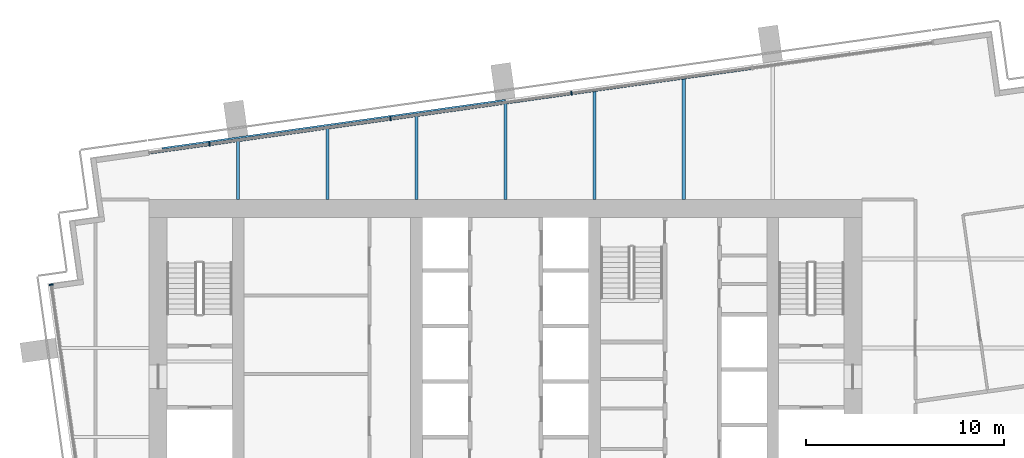
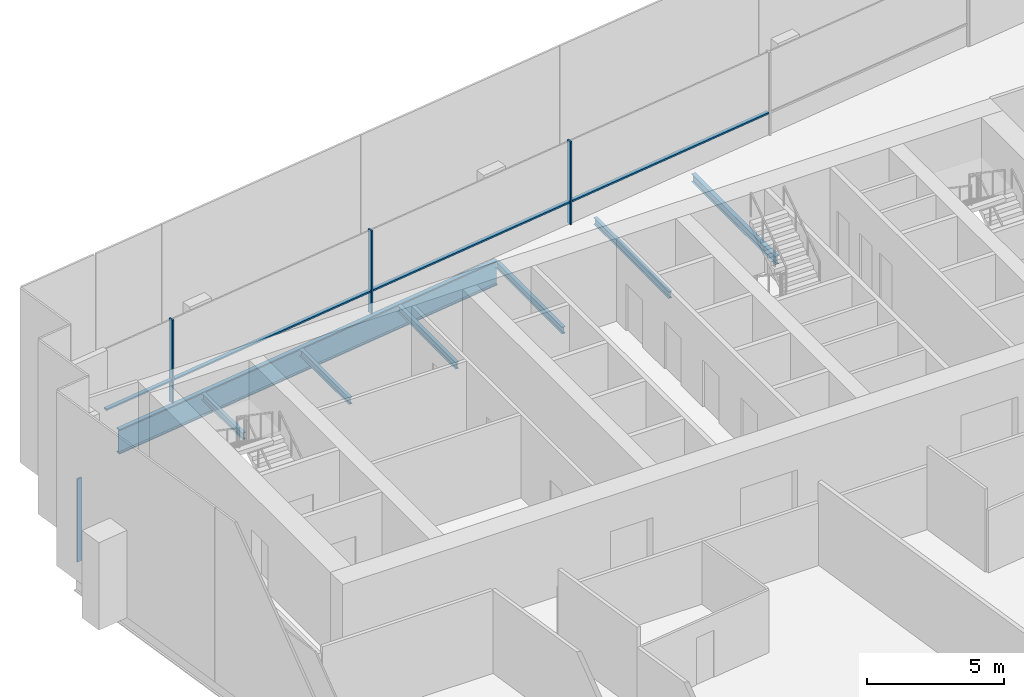
# One storey, part 6 of 17: 8 members, 7 beams, 2 elements without a shape of their own.
"""IFC4 building model written with IfcOpenShell, lengths in metres."""

from ifc_helpers import new_model, si_unit, direction, frame, origin, origin_2d, place, context, subcontext, project, spatial, rectangle, i_section, extrude, material, layer, layer_set, material_profile, profile_set, type_object, element, aggregate, save


model = new_model("IFC4")

# Units and contexts
model_context = context("Model", 3, precision=1e-05, world=origin(), true_north=direction((0.0, 1.0)))
body_context = subcontext(model_context, "Body", "Model", "MODEL_VIEW")
ifc_project = project(units=[si_unit("LENGTHUNIT", "METRE"), si_unit("AREAUNIT", "SQUARE_METRE"), si_unit("VOLUMEUNIT", "CUBIC_METRE"), si_unit("PLANEANGLEUNIT", "RADIAN"), si_unit("MASSUNIT", "GRAM", prefix="KILO")], contexts=[model_context])

# Site, building, storey
site_placement = place(None, origin())
site = spatial("IfcSite", under=ifc_project, at=site_placement, CompositionType="ELEMENT")
building_placement = place(site_placement, origin())
building = spatial("IfcBuilding", under=site, at=building_placement, Name="Rattan Terrace Tower", CompositionType="ELEMENT")
storey_placement = place(building_placement, frame((0.0, 0.0, 236.89990234375)))
storey = spatial("IfcBuildingStorey", under=building, at=storey_placement, Name="L54", CompositionType="ELEMENT", Elevation=236.89990234375)

# Beams
ifc_material_1 = material(Name="Steel S460", Category="steel")
ifc_material_profile_1 = material_profile(ifc_material_1, i_section(OverallWidth=0.179931640625, OverallDepth=1.10009765625, WebThickness=0.01611328125, FlangeThickness=0.050048828125, at=origin_2d()), Name="PG 1100x180-16-50")
ifc_profile_set_1 = profile_set([ifc_material_profile_1], Name="Steel S460")
beam_type_1 = type_object("IfcBeamType", Name="Frame edge girder PG 1100x180-16-50", PredefinedType="SPANDREL", material=ifc_profile_set_1)
beam_1_placement = place(storey_placement, frame((-17.347900390625, 10.031005859375, -0.75), z_axis=(0.990267797657, 0.13917502981, 0.0), x_axis=(-0.13917502981, 0.990267797657, 0.0)))
element("IfcBeam", 1, at=beam_1_placement, inside=storey, type_object=beam_type_1, Name="gdr-L54-005", PredefinedType="SPANDREL", context=body_context, shape_type="SweptSolid", body=[
    extrude(i_section(OverallWidth=0.179931640625, OverallDepth=1.10009765625, WebThickness=0.01611328125, FlangeThickness=0.050048828125, at=origin_2d()), origin(), (0.0, 0.0, 1.0), 17.531494140625),
])
ifc_material_2 = material(Name="Steel S355", Category="steel")
ifc_material_profile_2 = material_profile(ifc_material_2, i_section(OverallWidth=0.14990234375, OverallDepth=0.300048828125, WebThickness=0.007080078125, FlangeThickness=0.0107421875, FilletRadius=0.014892578125, at=origin_2d()), Name="IPE 300")
ifc_profile_set_2 = profile_set([ifc_material_profile_2], Name="Steel S355")
beam_type_2 = type_object("IfcBeamType", Name="Frame floor beam IPE 300", PredefinedType="JOIST", material=ifc_profile_set_2)
beam_2_placement = place(storey_placement, frame((-13.5, 7.5, -0.349853515625), z_axis=(0.0, 1.0, 0.0), x_axis=(-1.0, 0.0, 0.0)))
element("IfcBeam", 2, at=beam_2_placement, inside=storey, type_object=beam_type_2, Name="bm-L54-014", PredefinedType="JOIST", context=body_context, shape_type="SweptSolid", body=[
    extrude(i_section(OverallWidth=0.14990234375, OverallDepth=0.300048828125, WebThickness=0.007080078125, FlangeThickness=0.0107421875, FilletRadius=0.014892578125, at=origin_2d()), origin(), (0.0, 0.0, 1.0), 2.969970703125),
])
beam_3_placement = place(storey_placement, frame((-9.0, 7.5, -0.349853515625), z_axis=(0.0, 1.0, 0.0), x_axis=(-1.0, 0.0, 0.0)))
element("IfcBeam", 3, at=beam_3_placement, inside=storey, type_object=beam_type_2, Name="bm-L54-015", PredefinedType="JOIST", context=body_context, shape_type="SweptSolid", body=[
    extrude(i_section(OverallWidth=0.14990234375, OverallDepth=0.300048828125, WebThickness=0.007080078125, FlangeThickness=0.0107421875, FilletRadius=0.014892578125, at=origin_2d()), origin(), (0.0, 0.0, 1.0), 3.60302734375),
])
beam_4_placement = place(storey_placement, frame((-4.5, 7.5, -0.349853515625), z_axis=(0.0, 1.0, 0.0), x_axis=(-1.0, 0.0, 0.0)))
element("IfcBeam", 4, at=beam_4_placement, inside=storey, type_object=beam_type_2, Name="bm-L54-016", PredefinedType="JOIST", context=body_context, shape_type="SweptSolid", body=[
    extrude(i_section(OverallWidth=0.14990234375, OverallDepth=0.300048828125, WebThickness=0.007080078125, FlangeThickness=0.0107421875, FilletRadius=0.014892578125, at=origin_2d()), origin(), (0.0, 0.0, 1.0), 4.235107421875),
])
beam_5_placement = place(storey_placement, frame((0.0, 7.5, -0.349853515625), z_axis=(0.0, 1.0, 0.0), x_axis=(-1.0, 0.0, 0.0)))
element("IfcBeam", 5, at=beam_5_placement, inside=storey, type_object=beam_type_2, Name="bm-L54-017", PredefinedType="JOIST", context=body_context, shape_type="SweptSolid", body=[
    extrude(i_section(OverallWidth=0.14990234375, OverallDepth=0.300048828125, WebThickness=0.007080078125, FlangeThickness=0.0107421875, FilletRadius=0.014892578125, at=origin_2d()), origin(), (0.0, 0.0, 1.0), 4.867919921875),
])
beam_6_placement = place(storey_placement, frame((4.5, 7.5, -0.349853515625), z_axis=(0.0, 1.0, 0.0), x_axis=(-1.0, 0.0, 0.0)))
element("IfcBeam", 6, at=beam_6_placement, inside=storey, type_object=beam_type_2, Name="bm-L54-018", PredefinedType="JOIST", context=body_context, shape_type="SweptSolid", body=[
    extrude(i_section(OverallWidth=0.14990234375, OverallDepth=0.300048828125, WebThickness=0.007080078125, FlangeThickness=0.0107421875, FilletRadius=0.014892578125, at=origin_2d()), origin(), (0.0, 0.0, 1.0), 5.5),
])
ifc_material_3 = material(Name="Steel S355", Category="steel")
ifc_material_profile_3 = material_profile(ifc_material_3, i_section(OverallWidth=0.169921875, OverallDepth=0.360107421875, WebThickness=0.008056640625, FlangeThickness=0.0126953125, FilletRadius=0.01806640625, at=origin_2d()), Name="IPE 360")
ifc_profile_set_3 = profile_set([ifc_material_profile_3], Name="Steel S355")
beam_type_3 = type_object("IfcBeamType", Name="Frame floor beam IPE 360", PredefinedType="JOIST", material=ifc_profile_set_3)
beam_7_placement = place(storey_placement, frame((9.0, 7.5, -0.3798828125), z_axis=(0.0, 1.0, 0.0), x_axis=(-1.0, 0.0, 0.0)))
element("IfcBeam", 7, at=beam_7_placement, inside=storey, type_object=beam_type_3, Name="bm-L54-019", PredefinedType="JOIST", context=body_context, shape_type="SweptSolid", body=[
    extrude(i_section(OverallWidth=0.169921875, OverallDepth=0.360107421875, WebThickness=0.008056640625, FlangeThickness=0.0126953125, FilletRadius=0.01806640625, at=origin_2d()), origin(), (0.0, 0.0, 1.0), 6.131103515625),
])

# Curtain wall, members
ifc_material_4 = material(Name="Aluminium and laminated glass", Category="aluminium")
ifc_layer = layer(ifc_material_4, 0.199951171875)
ifc_layer_set = layer_set([ifc_layer], Name="High-Zone Unitised Curtain Wall")
curtain_wall_type = type_object("IfcCurtainWallType", Name="High-Zone Unitised Curtain Wall", PredefinedType="NOTDEFINED", material=ifc_layer_set)
curtain_wall_1_placement = place(storey_placement, origin())
curtain_wall_1 = element("IfcCurtainWall", 8, at=curtain_wall_1_placement, inside=storey, type_object=curtain_wall_type, Name="High-zone curtain wall L54-2", PredefinedType="NOTDEFINED")
ifc_material_5 = material(Name="Aluminium", Category="aluminium")
ifc_material_profile_4 = material_profile(ifc_material_5, rectangle(XDim=0.070068359375, YDim=0.199951171875, at=origin_2d()), Name="Aluminium 70x200")
ifc_profile_set_4 = profile_set([ifc_material_profile_4], Name="Aluminium")
member_type_1 = type_object("IfcMemberType", Name="High-Zone CW Mullion 70x200", PredefinedType="MULLION", material=ifc_profile_set_4)
member_1_placement = place(storey_placement, frame((3.332275390625, 12.856201171875, 0.0), z_axis=(0.0, 0.0, 1.0), x_axis=(-0.990267457022, -0.139177453499, 0.0)))
member_1 = element("IfcMember", 9, at=member_1_placement, type_object=member_type_1, Name="Mullion cwl-L54-002.3", PredefinedType="MULLION", context=body_context, shape_type="SweptSolid", body=[
    extrude(rectangle(XDim=0.070068359375, YDim=0.199951171875, at=origin_2d()), origin(), (0.0, 0.0, 1.0), 3.7001953125),
])
member_2_placement = place(storey_placement, frame((-5.808837890625, 11.571533203125, 0.0), z_axis=(0.0, 0.0, 1.0), x_axis=(-0.990267457022, -0.139177453499, 0.0)))
member_2 = element("IfcMember", 10, at=member_2_placement, type_object=member_type_1, Name="Mullion cwl-L54-002.4", PredefinedType="MULLION", context=body_context, shape_type="SweptSolid", body=[
    extrude(rectangle(XDim=0.070068359375, YDim=0.199951171875, at=origin_2d()), origin(), (0.0, 0.0, 1.0), 3.7001953125),
])
member_3_placement = place(storey_placement, frame((-14.949951171875, 10.28662109375, 0.0), z_axis=(0.0, 0.0, 1.0), x_axis=(-0.990267457022, -0.139177453499, 0.0)))
member_3 = element("IfcMember", 11, at=member_3_placement, type_object=member_type_1, Name="Mullion cwl-L54-002.5", PredefinedType="MULLION", context=body_context, shape_type="SweptSolid", body=[
    extrude(rectangle(XDim=0.070068359375, YDim=0.199951171875, at=origin_2d()), origin(), (0.0, 0.0, 1.0), 3.7001953125),
])

# Curtain wall, member
curtain_wall_2_placement = place(storey_placement, origin())
curtain_wall_2 = element("IfcCurtainWall", 12, at=curtain_wall_2_placement, inside=storey, type_object=curtain_wall_type, Name="High-zone curtain wall L54-3", PredefinedType="NOTDEFINED")
member_4_placement = place(storey_placement, frame((-22.946533203125, 3.1943359375, 0.0), z_axis=(0.0, 0.0, 1.0), x_axis=(0.139186165309, -0.990266232579, 0.0)))
member_4 = element("IfcMember", 13, at=member_4_placement, type_object=member_type_1, Name="Mullion cwl-L54-003.1", PredefinedType="MULLION", context=body_context, shape_type="SweptSolid", body=[
    extrude(rectangle(XDim=0.070068359375, YDim=0.199951171875, at=origin_2d()), origin(), (0.0, 0.0, 1.0), 3.7001953125),
])
aggregate(curtain_wall_2, [member_4])

# Member
ifc_material_6 = material(Name="Aluminium", Category="aluminium")
ifc_material_profile_5 = material_profile(ifc_material_6, rectangle(XDim=0.159912109375, YDim=0.070068359375, at=origin_2d()), Name="Aluminium 160x70")
ifc_profile_set_5 = profile_set([ifc_material_profile_5], Name="Aluminium")
member_type_2 = type_object("IfcMemberType", Name="High-Zone CW Transom 160x70", PredefinedType="USERDEFINED", material=ifc_profile_set_5)
member_5_placement = place(storey_placement, frame((12.438720703125, 14.135986328125, 1.0), z_axis=(-0.990268863305, -0.13916744723, 0.0), x_axis=(0.13916744723, -0.990268863305, 0.0)))
member_5 = element("IfcMember", 14, at=member_5_placement, type_object=member_type_2, Name="Transom cwl-L54-002.2", ObjectType="TRANSOM", PredefinedType="USERDEFINED", context=body_context, shape_type="SweptSolid", body=[
    extrude(rectangle(XDim=0.159912109375, YDim=0.070068359375, at=origin_2d()), origin(), (0.0, 0.0, 1.0), 9.160888671875),
])

member_6_placement = place(storey_placement, frame((3.297607421875, 12.851318359375, 1.0), z_axis=(-0.990265190222, -0.139193581154, 0.0), x_axis=(0.139193581154, -0.990265190222, 0.0)))
member_6 = element("IfcMember", 15, at=member_6_placement, type_object=member_type_2, Name="Transom cwl-L54-002.3", ObjectType="TRANSOM", PredefinedType="USERDEFINED", context=body_context, shape_type="SweptSolid", body=[
    extrude(rectangle(XDim=0.159912109375, YDim=0.070068359375, at=origin_2d()), origin(), (0.0, 0.0, 1.0), 9.160888671875),
])

member_7_placement = place(storey_placement, frame((-5.843505859375, 11.566650390625, 1.0), z_axis=(-0.990265190222, -0.139193581154, 0.0), x_axis=(0.139193581154, -0.990265190222, 0.0)))
member_7 = element("IfcMember", 16, at=member_7_placement, type_object=member_type_2, Name="Transom cwl-L54-002.4", ObjectType="TRANSOM", PredefinedType="USERDEFINED", context=body_context, shape_type="SweptSolid", body=[
    extrude(rectangle(XDim=0.159912109375, YDim=0.070068359375, at=origin_2d()), origin(), (0.0, 0.0, 1.0), 9.160888671875),
])

member_8_placement = place(storey_placement, frame((-14.984619140625, 10.28173828125, 1.0), z_axis=(-0.990269723995, -0.139161322712, 0.0), x_axis=(0.139161322712, -0.990269723995, 0.0)))
member_8 = element("IfcMember", 17, at=member_8_placement, type_object=member_type_2, Name="Transom cwl-L54-002.5", ObjectType="TRANSOM", PredefinedType="USERDEFINED", context=body_context, shape_type="SweptSolid", body=[
    extrude(rectangle(XDim=0.159912109375, YDim=0.070068359375, at=origin_2d()), origin(), (0.0, 0.0, 1.0), 3.040283203125),
])

aggregate(curtain_wall_1, [member_1, member_2, member_3, member_5, member_6, member_7, member_8])

save(model, "model.ifc")
